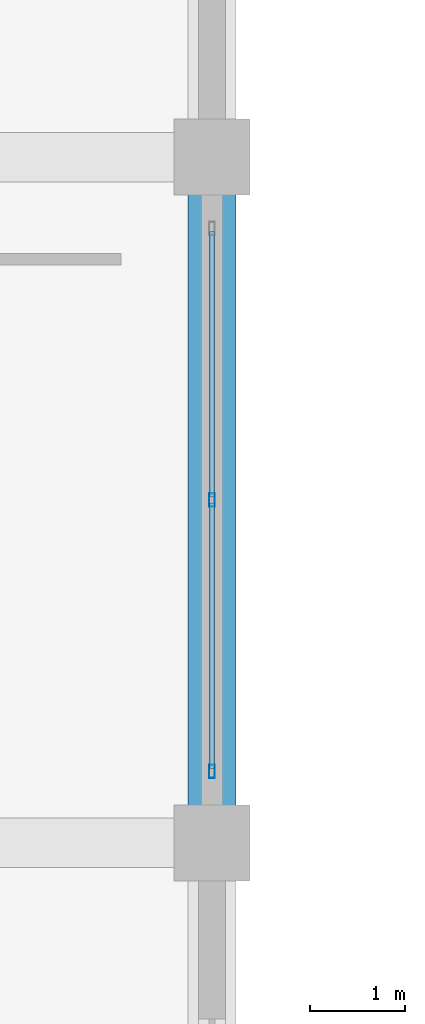
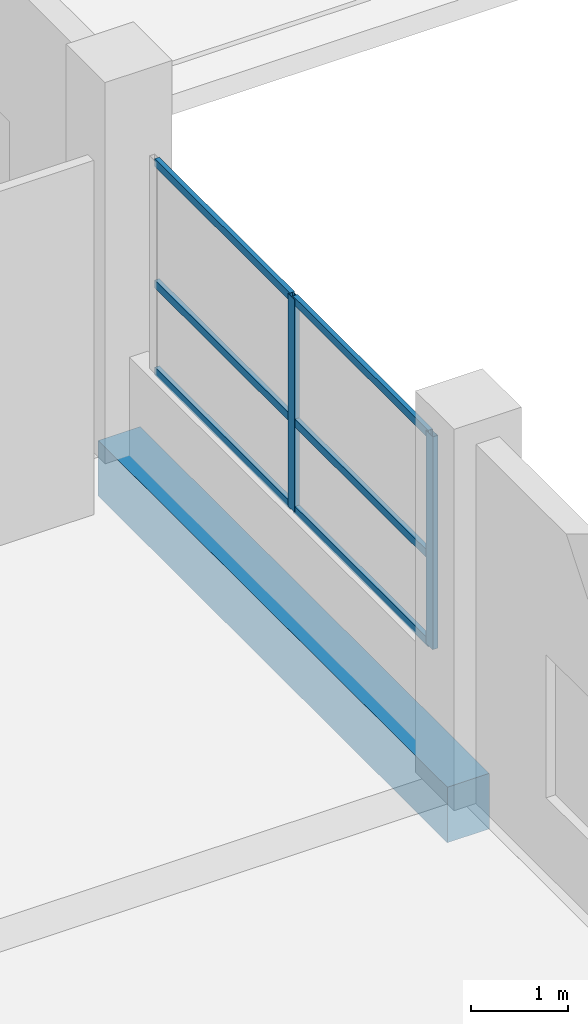
# One storey, part 53 of 140: 8 members, 1 beam, 1 element without a shape of its own.
"""IFC4 building model written with IfcOpenShell, lengths in metres."""

from ifc_helpers import new_model, si_unit, direction, frame, origin, origin_2d, place, context, subcontext, project, spatial, rectangle, hollow_rectangle, extrude, material, layer, layer_set, material_profile, profile_set, type_object, element, aggregate, save


model = new_model("IFC4")

# Units and contexts
model_context = context("Model", 3, precision=1e-05, world=origin(), true_north=direction((0.0, 1.0)))
body_context = subcontext(model_context, "Body", "Model", "MODEL_VIEW")
ifc_project = project(units=[si_unit("LENGTHUNIT", "METRE"), si_unit("AREAUNIT", "SQUARE_METRE"), si_unit("VOLUMEUNIT", "CUBIC_METRE"), si_unit("PLANEANGLEUNIT", "RADIAN"), si_unit("MASSUNIT", "GRAM", prefix="KILO")], contexts=[model_context])

# Site, building, storey
site_placement = place(None, origin())
site = spatial("IfcSite", under=ifc_project, at=site_placement, CompositionType="ELEMENT")
building_placement = place(site_placement, origin())
building = spatial("IfcBuilding", under=site, at=building_placement, Name="Seraya Terrace Polytechnic", CompositionType="ELEMENT")
storey_placement = place(building_placement, frame((0.0, 0.0, 9.60009765625)))
storey = spatial("IfcBuildingStorey", under=building, at=storey_placement, Name="L02", CompositionType="ELEMENT", Elevation=9.60009765625)

# Beam
ifc_material_1 = material(Name="Concrete C40/50", Category="concrete")
ifc_material_profile_1 = material_profile(ifc_material_1, rectangle(XDim=0.5, YDim=0.699951171875, at=origin_2d()), Name="RC 500x700")
ifc_profile_set_1 = profile_set([ifc_material_profile_1], Name="Concrete C40/50")
beam_type = type_object("IfcBeamType", Name="BM-07", PredefinedType="BEAM", material=ifc_profile_set_1)
beam_placement = place(storey_placement, frame((108.0, 57.60009765625, -0.35009765625), z_axis=(0.0, 1.0, 0.0), x_axis=(-1.0, 0.0, 0.0)))
element("IfcBeam", 1, at=beam_placement, inside=storey, type_object=beam_type, Name="Beam BM-07 L02 Y (108.0, 57.6..64.8)", PredefinedType="BEAM", context=body_context, shape_type="SweptSolid", body=[
    extrude(rectangle(XDim=0.5, YDim=0.699951171875, at=origin_2d()), origin(), (0.0, 0.0, 1.0), 7.199951171875),
])

# Curtain wall, members
ifc_material_2 = material(Name="Anodised aluminium EN AW-6063 T6", Category="aluminium")
ifc_layer = layer(ifc_material_2, 0.179931640625, Name="CW-24")
ifc_layer_set = layer_set([ifc_layer], Name="Anodised aluminium EN AW-6063 T6")
curtain_wall_type = type_object("IfcCurtainWallType", Name="CW-24", PredefinedType="NOTDEFINED", material=ifc_layer_set)
curtain_wall_placement = place(storey_placement, origin())
curtain_wall = element("IfcCurtainWall", 2, at=curtain_wall_placement, inside=storey, type_object=curtain_wall_type, Name="Unitised curtain wall CW-24 (CW-L02-060)", PredefinedType="NOTDEFINED")
ifc_material_profile_2 = material_profile(ifc_material_2, hollow_rectangle(XDim=0.06005859375, YDim=0.139892578125, WallThickness=0.00341796875, at=origin_2d()), Name="RHS 140x60x3.5")
ifc_profile_set_2 = profile_set([ifc_material_profile_2], Name="Anodised aluminium EN AW-6063 T6")
member_type_1 = type_object("IfcMemberType", Name="CWM-03", PredefinedType="MULLION", material=ifc_profile_set_2)
member_1_placement = place(storey_placement, frame((108.0, 61.199951171875, 1.239990234375), z_axis=(0.0, 0.0, 1.0), x_axis=(1.0, 0.0, 0.0)))
member_1 = element("IfcMember", 3, at=member_1_placement, type_object=member_type_1, Name="CW-24 mullion 2", PredefinedType="MULLION", context=body_context, shape_type="SweptSolid", body=[
    extrude(hollow_rectangle(XDim=0.06005859375, YDim=0.139892578125, WallThickness=0.00341796875, at=origin_2d()), origin(), (0.0, 0.0, 1.0), 2.679931640625),
])
member_2_placement = place(storey_placement, frame((108.0, 58.35009765625, 1.239990234375), z_axis=(0.0, 0.0, 1.0), x_axis=(1.0, 0.0, 0.0)))
member_2 = element("IfcMember", 4, at=member_2_placement, type_object=member_type_1, Name="CW-24 mullion 3", PredefinedType="MULLION", context=body_context, shape_type="SweptSolid", body=[
    extrude(hollow_rectangle(XDim=0.06005859375, YDim=0.139892578125, WallThickness=0.00341796875, at=origin_2d()), origin(), (0.0, 0.0, 1.0), 2.679931640625),
])
ifc_material_profile_3 = material_profile(ifc_material_2, hollow_rectangle(XDim=0.054931640625, YDim=0.10009765625, WallThickness=0.0029296875, at=origin_2d()), Name="RHS 100x55x3.0")
ifc_profile_set_3 = profile_set([ifc_material_profile_3], Name="Anodised aluminium EN AW-6063 T6")
member_type_2 = type_object("IfcMemberType", Name="CWT-03", PredefinedType="USERDEFINED", material=ifc_profile_set_3)
member_3_placement = place(storey_placement, frame((108.0, 64.02001953125, 1.267333984375), z_axis=(0.0, -1.0, 0.0), x_axis=(1.0, 0.0, 0.0)))
member_3 = element("IfcMember", 5, at=member_3_placement, type_object=member_type_2, Name="CW-24 transom 1.1", ObjectType="TRANSOM", PredefinedType="USERDEFINED", context=body_context, shape_type="SweptSolid", body=[
    extrude(hollow_rectangle(XDim=0.054931640625, YDim=0.10009765625, WallThickness=0.0029296875, at=origin_2d()), origin(), (0.0, 0.0, 1.0), 2.7900390625),
])
member_4_placement = place(storey_placement, frame((108.0, 64.02001953125, 2.365478515625), z_axis=(0.0, -1.0, 0.0), x_axis=(1.0, 0.0, 0.0)))
member_4 = element("IfcMember", 6, at=member_4_placement, type_object=member_type_2, Name="CW-24 transom 1.2", ObjectType="TRANSOM", PredefinedType="USERDEFINED", context=body_context, shape_type="SweptSolid", body=[
    extrude(hollow_rectangle(XDim=0.054931640625, YDim=0.10009765625, WallThickness=0.0029296875, at=origin_2d()), origin(), (0.0, 0.0, 1.0), 2.7900390625),
])
member_5_placement = place(storey_placement, frame((108.0, 64.02001953125, 3.892333984375), z_axis=(0.0, -1.0, 0.0), x_axis=(1.0, 0.0, 0.0)))
member_5 = element("IfcMember", 7, at=member_5_placement, type_object=member_type_2, Name="CW-24 transom 1.3", ObjectType="TRANSOM", PredefinedType="USERDEFINED", context=body_context, shape_type="SweptSolid", body=[
    extrude(hollow_rectangle(XDim=0.054931640625, YDim=0.10009765625, WallThickness=0.0029296875, at=origin_2d()), origin(), (0.0, 0.0, 1.0), 2.7900390625),
])
member_6_placement = place(storey_placement, frame((108.0, 61.169921875, 1.267333984375), z_axis=(0.0, -1.0, 0.0), x_axis=(1.0, 0.0, 0.0)))
member_6 = element("IfcMember", 8, at=member_6_placement, type_object=member_type_2, Name="CW-24 transom 2.1", ObjectType="TRANSOM", PredefinedType="USERDEFINED", context=body_context, shape_type="SweptSolid", body=[
    extrude(hollow_rectangle(XDim=0.054931640625, YDim=0.10009765625, WallThickness=0.0029296875, at=origin_2d()), origin(), (0.0, 0.0, 1.0), 2.7900390625),
])
member_7_placement = place(storey_placement, frame((108.0, 61.169921875, 2.365478515625), z_axis=(0.0, -1.0, 0.0), x_axis=(1.0, 0.0, 0.0)))
member_7 = element("IfcMember", 9, at=member_7_placement, type_object=member_type_2, Name="CW-24 transom 2.2", ObjectType="TRANSOM", PredefinedType="USERDEFINED", context=body_context, shape_type="SweptSolid", body=[
    extrude(hollow_rectangle(XDim=0.054931640625, YDim=0.10009765625, WallThickness=0.0029296875, at=origin_2d()), origin(), (0.0, 0.0, 1.0), 2.7900390625),
])
member_8_placement = place(storey_placement, frame((108.0, 61.169921875, 3.892333984375), z_axis=(0.0, -1.0, 0.0), x_axis=(1.0, 0.0, 0.0)))
member_8 = element("IfcMember", 10, at=member_8_placement, type_object=member_type_2, Name="CW-24 transom 2.3", ObjectType="TRANSOM", PredefinedType="USERDEFINED", context=body_context, shape_type="SweptSolid", body=[
    extrude(hollow_rectangle(XDim=0.054931640625, YDim=0.10009765625, WallThickness=0.0029296875, at=origin_2d()), origin(), (0.0, 0.0, 1.0), 2.7900390625),
])
aggregate(curtain_wall, [member_1, member_2, member_3, member_4, member_5, member_6, member_7, member_8])

save(model, "model.ifc")
